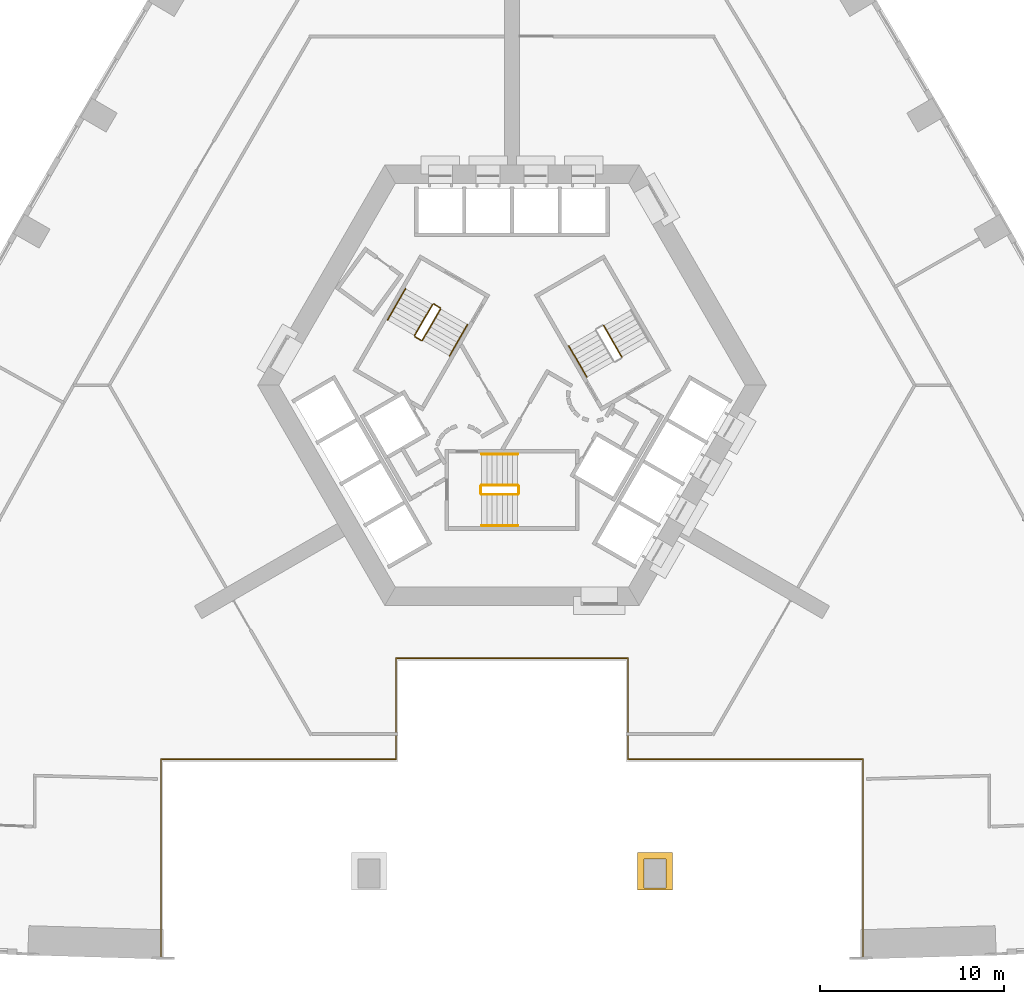
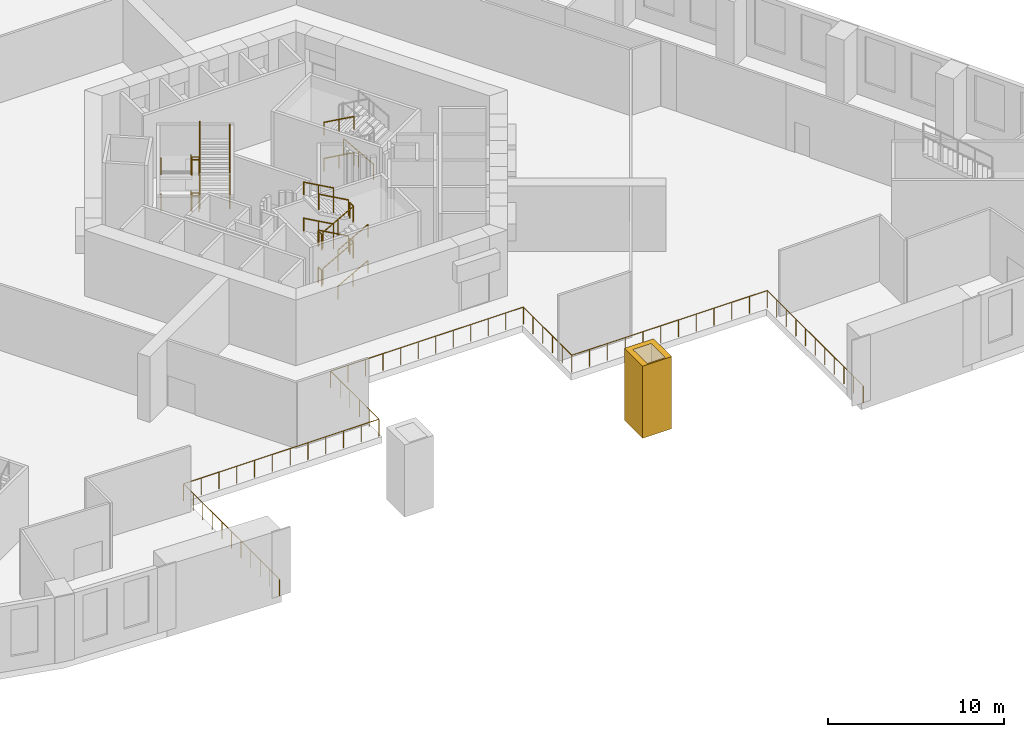
# One storey, part 13 of 16: 28 railings, 1 covering.
"""IFC4 building model written with IfcOpenShell, lengths in metres."""

import ifcopenshell
import ifcopenshell.guid

model = None  # the IFC model being written
_history = None  # IfcOwnerHistory: only IFC2X3 demands one
_inside = {}  # id of a spatial element -> (the spatial element, [elements in it])
_under = {}  # id of a project, library or spatial element -> (it, [spatial elements below it])
_declared = {}  # id of a project -> (the project, [libraries it declares])
_typed = {}  # id of a type object -> (the type object, [elements of that type])
_made_of = {}  # id of a material, layer set ... -> (it, [elements and type objects made of it])


def new_model(schema):
    """Start an empty IFC model of exactly this schema.

    Asked for "IFC4X3", IfcOpenShell would pick the latest addendum, in which some entities
    have other attributes; the version numbers below select the first issue.
    IFC2X3 requires an IfcOwnerHistory on every rooted entity: one is made here for all.
    """
    global model, _history
    if schema == "IFC4X3":
        model = ifcopenshell.file(schema_version=(4, 3, 0, 0))
    else:
        model = ifcopenshell.file(schema=schema)
    _inside.clear()
    _under.clear()
    _declared.clear()
    _typed.clear()
    _made_of.clear()
    _history = None
    if model.schema == "IFC2X3":
        org = make("IfcOrganization", Name="unknown")
        user = make(
            "IfcPersonAndOrganization",
            ThePerson=make("IfcPerson", FamilyName="unknown"),
            TheOrganization=org,
        )
        app = make(
            "IfcApplication",
            ApplicationDeveloper=org,
            Version="unknown",
            ApplicationFullName="unknown",
            ApplicationIdentifier="unknown",
        )
        _history = make(
            "IfcOwnerHistory",
            OwningUser=user,
            OwningApplication=app,
            ChangeAction="ADDED",
            CreationDate=0,
        )
    return model


def make(cls, **values):
    """One entity of the class cls with the attributes given. An attribute that is None is left unset."""
    return model.create_entity(
        cls, **{name: value for name, value in values.items() if value is not None}
    )


def rooted(cls, **values):
    """An entity with a GlobalId (a new one), such as an element, a storey or a relation."""
    return make(cls, GlobalId=ifcopenshell.guid.new(), OwnerHistory=_history, **values)


def si_unit(unit_type, name, prefix=None):
    """IfcSIUnit, for example si_unit("LENGTHUNIT", "METRE", prefix="MILLI")."""
    return make("IfcSIUnit", UnitType=unit_type, Prefix=prefix, Name=name)


def assignment(units):
    """IfcUnitAssignment: the units of a project."""
    return None if units is None else make("IfcUnitAssignment", Units=units)


def point(xyz):
    """IfcCartesianPoint."""
    return None if xyz is None else make("IfcCartesianPoint", Coordinates=xyz)


def direction(xyz):
    """IfcDirection."""
    return None if xyz is None else make("IfcDirection", DirectionRatios=xyz)


def frame(location, z_axis=None, x_axis=None):
    """IfcAxis2Placement3D, a coordinate frame: its origin and axes. An axis left out is left unset."""
    return make(
        "IfcAxis2Placement3D",
        Location=point(location),
        Axis=direction(z_axis),
        RefDirection=direction(x_axis),
    )


def frame_2d(location, x_axis=None):
    """IfcAxis2Placement2D, a coordinate frame in the plane: its origin and x axis."""
    return make(
        "IfcAxis2Placement2D", Location=point(location), RefDirection=direction(x_axis)
    )


def origin():
    """The frame at (0, 0, 0) with its axes left unset."""
    return frame((0.0, 0.0, 0.0))


def origin_2d():
    """The frame at (0, 0) in the plane with its x axis left unset."""
    return frame_2d((0.0, 0.0))


def place(relative_to, where):
    """IfcLocalPlacement: puts the frame where relative to a parent placement (None: the world)."""
    return make(
        "IfcLocalPlacement", PlacementRelTo=relative_to, RelativePlacement=where
    )


def context(
    kind, dimensions, precision=None, world=None, true_north=None, identifier=None
):
    """IfcGeometricRepresentationContext, for example the 3D "Model" context."""
    return make(
        "IfcGeometricRepresentationContext",
        ContextIdentifier=identifier,
        ContextType=kind,
        CoordinateSpaceDimension=dimensions,
        Precision=precision,
        WorldCoordinateSystem=world,
        TrueNorth=true_north,
    )


def subcontext(parent, identifier, kind, view, scale=None):
    """IfcGeometricRepresentationSubContext, for example "Body" below "Model"."""
    return make(
        "IfcGeometricRepresentationSubContext",
        ContextIdentifier=identifier,
        ContextType=kind,
        ParentContext=parent,
        TargetScale=scale,
        TargetView=view,
    )


def project(units=None, contexts=None):
    """IfcProject with its units and contexts."""
    return rooted(
        "IfcProject",
        Name="project",
        RepresentationContexts=contexts,
        UnitsInContext=assignment(units),
    )


def spatial(cls, under=None, at=None, **own):
    """A site, building, storey or space (cls), placed at a placement, below another one or the project."""
    s = rooted(cls, ObjectPlacement=at, **own)
    if under is not None:
        _under.setdefault(under.id(), (under, []))[1].append(s)
    return s


def polyline(points):
    """IfcPolyline through the points."""
    return make("IfcPolyline", Points=[point(p) for p in points])


def profile(cls, at=None, kind="AREA", **sizes):
    """A parametric profile (cls). Its sizes go by their IFC names, for example OverallWidth=200.0."""
    return make(cls, ProfileType=kind, Position=at, **sizes)


def circle(**sizes):
    """IfcCircleProfileDef."""
    return profile("IfcCircleProfileDef", **sizes)


def outline(outer, holes=None, kind="AREA"):
    """IfcArbitraryClosedProfileDef: a profile drawn as a closed curve; with holes, ...WithVoids."""
    if holes is None:
        return make("IfcArbitraryClosedProfileDef", ProfileType=kind, OuterCurve=outer)
    return make(
        "IfcArbitraryProfileDefWithVoids",
        ProfileType=kind,
        OuterCurve=outer,
        InnerCurves=holes,
    )


def extrude(swept, where, along, depth):
    """IfcExtrudedAreaSolid: the profile swept, set in the frame where, extruded along a direction by depth."""
    return make(
        "IfcExtrudedAreaSolid",
        SweptArea=swept,
        Position=where,
        ExtrudedDirection=direction(along),
        Depth=depth,
    )


def shape(context_of_items, identifier, shape_type, items):
    """IfcShapeRepresentation: the items that make up one representation, for example the "Body"."""
    return make(
        "IfcShapeRepresentation",
        ContextOfItems=context_of_items,
        RepresentationIdentifier=identifier,
        RepresentationType=shape_type,
        Items=items,
    )


def material(Name=None, Category=None):
    """IfcMaterial."""
    return make("IfcMaterial", Name=Name, Category=Category)


def made_of(thing, what):
    """Note that an element or type object is made of a material, layer set ...; save() writes the relation."""
    if what is not None:
        _made_of.setdefault(what.id(), (what, []))[1].append(thing)
    return thing


def type_object(cls, material=None, **own):
    """A type object (cls), such as IfcWallType, which elements share."""
    return made_of(rooted(cls, **own), material)


def element(
    cls,
    number,
    at=None,
    inside=None,
    cuts=None,
    type_object=None,
    material=None,
    context=None,
    identifier="Body",
    shape_type=None,
    held_by="IfcProductDefinitionShape",
    body=None,
    shapes=None,
    **own,
):
    """One element of the class cls, such as IfcWall. Its Tag is "e" and its number.

    at: its placement. inside: the storey or other place that contains it. cuts: it is an
    opening in that element (IfcRelVoidsElement). A single representation is given by context,
    identifier, shape_type and body (its items); several are given by shapes. held_by: the class
    of the entity that holds the representations. save() writes the other relations.
    """
    e = rooted(cls, Tag="e%d" % number, ObjectPlacement=at, **own)
    if body is not None:
        shapes = [shape(context, identifier, shape_type, body)]
    if shapes is not None:
        e.Representation = make(held_by, Representations=shapes)
    if inside is not None:
        _inside.setdefault(inside.id(), (inside, []))[1].append(e)
    if cuts is not None:
        rooted(
            "IfcRelVoidsElement", RelatingBuildingElement=cuts, RelatedOpeningElement=e
        )
    if type_object is not None:
        _typed.setdefault(type_object.id(), (type_object, []))[1].append(e)
    return made_of(e, material)


def aggregate(whole, parts):
    """IfcRelAggregates: a whole, such as a stair, and the parts it consists of."""
    return rooted("IfcRelAggregates", RelatingObject=whole, RelatedObjects=parts)


def save(model, path):
    """Write the relations noted so far, then the file.

    IfcRelAggregates (storeys below a building ...), IfcRelContainedInSpatialStructure (elements
    in a storey), IfcRelDefinesByType, IfcRelAssociatesMaterial and IfcRelDeclares: one each for
    every whole, place, type object, material and project.
    """
    for whole, parts in _under.values():
        aggregate(whole, parts)
    for where, things in _inside.values():
        rooted(
            "IfcRelContainedInSpatialStructure",
            RelatedElements=things,
            RelatingStructure=where,
        )
    for kind, things in _typed.values():
        rooted("IfcRelDefinesByType", RelatedObjects=things, RelatingType=kind)
    for what, things in _made_of.values():
        rooted("IfcRelAssociatesMaterial", RelatedObjects=things, RelatingMaterial=what)
    for by, libraries in _declared.values():
        rooted("IfcRelDeclares", RelatingContext=by, RelatedDefinitions=libraries)
    model.write(path)


model = new_model("IFC4")

# Units and contexts
model_context = context("Model", 3, precision=1e-05, world=origin(), true_north=direction((0.0, 1.0)))
body_context = subcontext(model_context, "Body", "Model", "MODEL_VIEW")
ifc_project = project(units=[si_unit("LENGTHUNIT", "METRE"), si_unit("AREAUNIT", "SQUARE_METRE"), si_unit("VOLUMEUNIT", "CUBIC_METRE"), si_unit("PLANEANGLEUNIT", "RADIAN"), si_unit("MASSUNIT", "GRAM", prefix="KILO")], contexts=[model_context])

# Site, building, storey
site_placement = place(None, origin())
site = spatial("IfcSite", under=ifc_project, at=site_placement, CompositionType="ELEMENT")
building_placement = place(site_placement, origin())
building = spatial("IfcBuilding", under=site, at=building_placement, Name="Entoto Arch Interchange Tower", CompositionType="ELEMENT")
storey_placement = place(building_placement, frame((0.0, 0.0, 20.0)))
storey = spatial("IfcBuildingStorey", under=building, at=storey_placement, Name="L03", CompositionType="ELEMENT", Elevation=20.0)

# Railing
ifc_material_1 = material(Name="Stainless steel 1.4301", Category="steel")
railing_type_1 = type_object("IfcRailingType", Name="ATRIUM GUARD 1200 STEEL AND GLASS", PredefinedType="GUARDRAIL", material=ifc_material_1)
railing_1_placement = place(storey_placement, frame((-19.1201171875, -28.758056640625, 0.0)))
element("IfcRailing", 1, at=railing_1_placement, inside=storey, type_object=railing_type_1, Name="Atrium guard L03", PredefinedType="GUARDRAIL", context=body_context, shape_type="SweptSolid", body=[
    extrude(circle(Radius=0.02392578125, at=origin_2d()), frame((0.0, 0.0, 1.17578125), z_axis=(0.0, 1.0, 0.0), x_axis=(-1.0, 0.0, 0.0)), (0.0, 0.0, 1.0), 10.878173828125),
    extrude(circle(Radius=0.02392578125, at=origin_2d()), frame((0.0, 10.878173828125, 1.17578125), z_axis=(1.0, 0.0, 0.0), x_axis=(0.0, 1.0, 0.0)), (0.0, 0.0, 1.0), 12.800048828125),
    extrude(circle(Radius=0.02392578125, at=origin_2d()), frame((12.800048828125, 10.878173828125, 1.17578125), z_axis=(0.0, 1.0, 0.0), x_axis=(-1.0, 0.0, 0.0)), (0.0, 0.0, 1.0), 5.5),
    extrude(circle(Radius=0.02392578125, at=origin_2d()), frame((12.800048828125, 16.378173828125, 1.17578125), z_axis=(1.0, 0.0, 0.0), x_axis=(0.0, 1.0, 0.0)), (0.0, 0.0, 1.0), 12.64013671875),
    extrude(circle(Radius=0.02392578125, at=origin_2d()), frame((25.440185546875, 16.378173828125, 1.17578125), z_axis=(0.0, -1.0, 0.0), x_axis=(1.0, 0.0, 0.0)), (0.0, 0.0, 1.0), 5.5),
    extrude(circle(Radius=0.02392578125, at=origin_2d()), frame((25.440185546875, 10.878173828125, 1.17578125), z_axis=(1.0, 0.0, 0.0), x_axis=(0.0, 1.0, 0.0)), (0.0, 0.0, 1.0), 12.800048828125),
    extrude(circle(Radius=0.02392578125, at=origin_2d()), frame((38.240234375, 10.878173828125, 1.17578125), z_axis=(0.0, -1.0, 0.0), x_axis=(1.0, 0.0, 0.0)), (0.0, 0.0, 1.0), 10.878173828125),
    extrude(circle(Radius=0.02099609375, at=origin_2d()), origin(), (0.0, 0.0, 1.0), 1.15185546875),
    extrude(circle(Radius=0.02099609375, at=origin_2d()), frame((0.0, 1.087890625, 0.0)), (0.0, 0.0, 1.0), 1.15185546875),
    extrude(circle(Radius=0.02099609375, at=origin_2d()), frame((0.0, 2.175537109375, 0.0)), (0.0, 0.0, 1.0), 1.15185546875),
    extrude(circle(Radius=0.02099609375, at=origin_2d()), frame((0.0, 3.263427734375, 0.0)), (0.0, 0.0, 1.0), 1.15185546875),
    extrude(circle(Radius=0.02099609375, at=origin_2d()), frame((0.0, 4.351318359375, 0.0)), (0.0, 0.0, 1.0), 1.15185546875),
    extrude(circle(Radius=0.02099609375, at=origin_2d()), frame((0.0, 5.43896484375, 0.0)), (0.0, 0.0, 1.0), 1.15185546875),
    extrude(circle(Radius=0.02099609375, at=origin_2d()), frame((0.0, 6.52685546875, 0.0)), (0.0, 0.0, 1.0), 1.15185546875),
    extrude(circle(Radius=0.02099609375, at=origin_2d()), frame((0.0, 7.61474609375, 0.0)), (0.0, 0.0, 1.0), 1.15185546875),
    extrude(circle(Radius=0.02099609375, at=origin_2d()), frame((0.0, 8.70263671875, 0.0)), (0.0, 0.0, 1.0), 1.15185546875),
    extrude(circle(Radius=0.02099609375, at=origin_2d()), frame((0.0, 9.790283203125, 0.0)), (0.0, 0.0, 1.0), 1.15185546875),
    extrude(circle(Radius=0.02099609375, at=origin_2d()), frame((0.0, 10.878173828125, 0.0)), (0.0, 0.0, 1.0), 1.15185546875),
    extrude(circle(Radius=0.02099609375, at=origin_2d()), frame((1.16357421875, 10.878173828125, 0.0)), (0.0, 0.0, 1.0), 1.15185546875),
    extrude(circle(Radius=0.02099609375, at=origin_2d()), frame((2.327392578125, 10.878173828125, 0.0)), (0.0, 0.0, 1.0), 1.15185546875),
    extrude(circle(Radius=0.02099609375, at=origin_2d()), frame((3.490966796875, 10.878173828125, 0.0)), (0.0, 0.0, 1.0), 1.15185546875),
    extrude(circle(Radius=0.02099609375, at=origin_2d()), frame((4.654541015625, 10.878173828125, 0.0)), (0.0, 0.0, 1.0), 1.15185546875),
    extrude(circle(Radius=0.02099609375, at=origin_2d()), frame((5.818115234375, 10.878173828125, 0.0)), (0.0, 0.0, 1.0), 1.15185546875),
    extrude(circle(Radius=0.02099609375, at=origin_2d()), frame((6.98193359375, 10.878173828125, 0.0)), (0.0, 0.0, 1.0), 1.15185546875),
    extrude(circle(Radius=0.02099609375, at=origin_2d()), frame((8.1455078125, 10.878173828125, 0.0)), (0.0, 0.0, 1.0), 1.15185546875),
    extrude(circle(Radius=0.02099609375, at=origin_2d()), frame((9.30908203125, 10.878173828125, 0.0)), (0.0, 0.0, 1.0), 1.15185546875),
    extrude(circle(Radius=0.02099609375, at=origin_2d()), frame((10.47265625, 10.878173828125, 0.0)), (0.0, 0.0, 1.0), 1.15185546875),
    extrude(circle(Radius=0.02099609375, at=origin_2d()), frame((11.636474609375, 10.878173828125, 0.0)), (0.0, 0.0, 1.0), 1.15185546875),
    extrude(circle(Radius=0.02099609375, at=origin_2d()), frame((12.800048828125, 10.878173828125, 0.0)), (0.0, 0.0, 1.0), 1.15185546875),
    extrude(circle(Radius=0.02099609375, at=origin_2d()), frame((12.800048828125, 11.978271484375, 0.0)), (0.0, 0.0, 1.0), 1.15185546875),
    extrude(circle(Radius=0.02099609375, at=origin_2d()), frame((12.800048828125, 13.078125, 0.0)), (0.0, 0.0, 1.0), 1.15185546875),
    extrude(circle(Radius=0.02099609375, at=origin_2d()), frame((12.800048828125, 14.17822265625, 0.0)), (0.0, 0.0, 1.0), 1.15185546875),
    extrude(circle(Radius=0.02099609375, at=origin_2d()), frame((12.800048828125, 15.278076171875, 0.0)), (0.0, 0.0, 1.0), 1.15185546875),
    extrude(circle(Radius=0.02099609375, at=origin_2d()), frame((12.800048828125, 16.378173828125, 0.0)), (0.0, 0.0, 1.0), 1.15185546875),
    extrude(circle(Radius=0.02099609375, at=origin_2d()), frame((13.94921875, 16.378173828125, 0.0)), (0.0, 0.0, 1.0), 1.15185546875),
    extrude(circle(Radius=0.02099609375, at=origin_2d()), frame((15.09814453125, 16.378173828125, 0.0)), (0.0, 0.0, 1.0), 1.15185546875),
    extrude(circle(Radius=0.02099609375, at=origin_2d()), frame((16.247314453125, 16.378173828125, 0.0)), (0.0, 0.0, 1.0), 1.15185546875),
    extrude(circle(Radius=0.02099609375, at=origin_2d()), frame((17.396484375, 16.378173828125, 0.0)), (0.0, 0.0, 1.0), 1.15185546875),
    extrude(circle(Radius=0.02099609375, at=origin_2d()), frame((18.545654296875, 16.378173828125, 0.0)), (0.0, 0.0, 1.0), 1.15185546875),
    extrude(circle(Radius=0.02099609375, at=origin_2d()), frame((19.694580078125, 16.378173828125, 0.0)), (0.0, 0.0, 1.0), 1.15185546875),
    extrude(circle(Radius=0.02099609375, at=origin_2d()), frame((20.84375, 16.378173828125, 0.0)), (0.0, 0.0, 1.0), 1.15185546875),
    extrude(circle(Radius=0.02099609375, at=origin_2d()), frame((21.992919921875, 16.378173828125, 0.0)), (0.0, 0.0, 1.0), 1.15185546875),
    extrude(circle(Radius=0.02099609375, at=origin_2d()), frame((23.14208984375, 16.378173828125, 0.0)), (0.0, 0.0, 1.0), 1.15185546875),
    extrude(circle(Radius=0.02099609375, at=origin_2d()), frame((24.291015625, 16.378173828125, 0.0)), (0.0, 0.0, 1.0), 1.15185546875),
    extrude(circle(Radius=0.02099609375, at=origin_2d()), frame((25.440185546875, 16.378173828125, 0.0)), (0.0, 0.0, 1.0), 1.15185546875),
    extrude(circle(Radius=0.02099609375, at=origin_2d()), frame((25.440185546875, 15.278076171875, 0.0)), (0.0, 0.0, 1.0), 1.15185546875),
    extrude(circle(Radius=0.02099609375, at=origin_2d()), frame((25.440185546875, 14.17822265625, 0.0)), (0.0, 0.0, 1.0), 1.15185546875),
    extrude(circle(Radius=0.02099609375, at=origin_2d()), frame((25.440185546875, 13.078125, 0.0)), (0.0, 0.0, 1.0), 1.15185546875),
    extrude(circle(Radius=0.02099609375, at=origin_2d()), frame((25.440185546875, 11.978271484375, 0.0)), (0.0, 0.0, 1.0), 1.15185546875),
    extrude(circle(Radius=0.02099609375, at=origin_2d()), frame((25.440185546875, 10.878173828125, 0.0)), (0.0, 0.0, 1.0), 1.15185546875),
    extrude(circle(Radius=0.02099609375, at=origin_2d()), frame((26.603759765625, 10.878173828125, 0.0)), (0.0, 0.0, 1.0), 1.15185546875),
    extrude(circle(Radius=0.02099609375, at=origin_2d()), frame((27.767578125, 10.878173828125, 0.0)), (0.0, 0.0, 1.0), 1.15185546875),
    extrude(circle(Radius=0.02099609375, at=origin_2d()), frame((28.93115234375, 10.878173828125, 0.0)), (0.0, 0.0, 1.0), 1.15185546875),
    extrude(circle(Radius=0.02099609375, at=origin_2d()), frame((30.0947265625, 10.878173828125, 0.0)), (0.0, 0.0, 1.0), 1.15185546875),
    extrude(circle(Radius=0.02099609375, at=origin_2d()), frame((31.25830078125, 10.878173828125, 0.0)), (0.0, 0.0, 1.0), 1.15185546875),
    extrude(circle(Radius=0.02099609375, at=origin_2d()), frame((32.422119140625, 10.878173828125, 0.0)), (0.0, 0.0, 1.0), 1.15185546875),
    extrude(circle(Radius=0.02099609375, at=origin_2d()), frame((33.585693359375, 10.878173828125, 0.0)), (0.0, 0.0, 1.0), 1.15185546875),
    extrude(circle(Radius=0.02099609375, at=origin_2d()), frame((34.749267578125, 10.878173828125, 0.0)), (0.0, 0.0, 1.0), 1.15185546875),
    extrude(circle(Radius=0.02099609375, at=origin_2d()), frame((35.912841796875, 10.878173828125, 0.0)), (0.0, 0.0, 1.0), 1.15185546875),
    extrude(circle(Radius=0.02099609375, at=origin_2d()), frame((37.07666015625, 10.878173828125, 0.0)), (0.0, 0.0, 1.0), 1.15185546875),
    extrude(circle(Radius=0.02099609375, at=origin_2d()), frame((38.240234375, 10.878173828125, 0.0)), (0.0, 0.0, 1.0), 1.15185546875),
    extrude(circle(Radius=0.02099609375, at=origin_2d()), frame((38.240234375, 9.790283203125, 0.0)), (0.0, 0.0, 1.0), 1.15185546875),
    extrude(circle(Radius=0.02099609375, at=origin_2d()), frame((38.240234375, 8.70263671875, 0.0)), (0.0, 0.0, 1.0), 1.15185546875),
    extrude(circle(Radius=0.02099609375, at=origin_2d()), frame((38.240234375, 7.61474609375, 0.0)), (0.0, 0.0, 1.0), 1.15185546875),
    extrude(circle(Radius=0.02099609375, at=origin_2d()), frame((38.240234375, 6.52685546875, 0.0)), (0.0, 0.0, 1.0), 1.15185546875),
    extrude(circle(Radius=0.02099609375, at=origin_2d()), frame((38.240234375, 5.43896484375, 0.0)), (0.0, 0.0, 1.0), 1.15185546875),
    extrude(circle(Radius=0.02099609375, at=origin_2d()), frame((38.240234375, 4.351318359375, 0.0)), (0.0, 0.0, 1.0), 1.15185546875),
    extrude(circle(Radius=0.02099609375, at=origin_2d()), frame((38.240234375, 3.263427734375, 0.0)), (0.0, 0.0, 1.0), 1.15185546875),
    extrude(circle(Radius=0.02099609375, at=origin_2d()), frame((38.240234375, 2.175537109375, 0.0)), (0.0, 0.0, 1.0), 1.15185546875),
    extrude(circle(Radius=0.02099609375, at=origin_2d()), frame((38.240234375, 1.087890625, 0.0)), (0.0, 0.0, 1.0), 1.15185546875),
    extrude(circle(Radius=0.02099609375, at=origin_2d()), frame((38.240234375, 0.0, 0.0)), (0.0, 0.0, 1.0), 1.15185546875),
])

# Covering
ifc_material_2 = material(Name="Board-marked precast concrete C50/60", Category="concrete")
covering_type = type_object("IfcCoveringType", Name="PRECAST FRAME COURSE", PredefinedType="CLADDING", material=ifc_material_2)
covering_placement = place(storey_placement, frame((0.0, 0.0, -0.449951171875)))
element("IfcCovering", 2, at=covering_placement, inside=storey, type_object=covering_type, Name="Gate pier L03", PredefinedType="CLADDING", context=body_context, shape_type="SweptSolid", body=[
    extrude(outline(polyline([(6.85009765625, -22.949951171875), (8.75, -22.949951171875), (8.75, -24.9990234375), (6.85009765625, -24.9990234375), (6.85009765625, -22.949951171875)]), holes=[polyline([(7.199951171875, -23.300048828125), (7.199951171875, -24.89990234375), (8.39990234375, -24.89990234375), (8.39990234375, -23.300048828125), (7.199951171875, -23.300048828125)])]), origin(), (0.0, 0.0, 1.0), 5.0),
])

# Railings
railing_type_2 = type_object("IfcRailingType", Name="STAIR GUARD 1100 STEEL", PredefinedType="GUARDRAIL", material=ifc_material_1)
railing_2_placement = place(storey_placement, frame((-1.64990234375, -3.449951171875, 0.15625)))
element("IfcRailing", 3, at=railing_2_placement, inside=storey, type_object=railing_type_2, Name="L03 ST-S stair guard 1", PredefinedType="GUARDRAIL", context=body_context, shape_type="SweptSolid", body=[
    extrude(circle(Radius=0.02392578125, at=origin_2d()), frame((0.0, 0.0, 1.076171875), z_axis=(0.873232148454, 0.0, 0.487304437602), x_axis=(0.0, 1.0, 0.0)), (0.0, 0.0, 1.0), 2.244384765625),
    extrude(circle(Radius=0.02099609375, at=origin_2d()), origin(), (0.0, 0.0, 1.0), 1.052001953125),
    extrude(circle(Radius=0.02099609375, at=origin_2d()), frame((0.97998046875, 0.0, 0.546875)), (0.0, 0.0, 1.0), 1.052001953125),
    extrude(circle(Radius=0.02099609375, at=origin_2d()), frame((1.9599609375, 0.0, 1.09375)), (0.0, 0.0, 1.0), 1.052001953125),
])
railing_3_placement = place(storey_placement, frame((0.360107421875, -3.39990234375, 1.25)))
element("IfcRailing", 4, at=railing_3_placement, inside=storey, type_object=railing_type_2, Name="L03 ST-S stair guard 2", PredefinedType="GUARDRAIL", context=body_context, shape_type="SweptSolid", body=[
    extrude(circle(Radius=0.02392578125, at=origin_2d()), frame((0.0, 0.0, 1.076171875), z_axis=(0.0, 1.0, 0.0), x_axis=(-1.0, 0.0, 0.0)), (0.0, 0.0, 1.0), 0.39990234375),
    extrude(circle(Radius=0.02099609375, at=origin_2d()), origin(), (0.0, 0.0, 1.0), 1.052001953125),
    extrude(circle(Radius=0.02099609375, at=origin_2d()), frame((0.0, 0.39990234375, 0.0)), (0.0, 0.0, 1.0), 1.052001953125),
])
railing_4_placement = place(storey_placement, frame((0.31005859375, -2.949951171875, 1.40625)))
element("IfcRailing", 5, at=railing_4_placement, inside=storey, type_object=railing_type_2, Name="L03 ST-S stair guard 3", PredefinedType="GUARDRAIL", context=body_context, shape_type="SweptSolid", body=[
    extrude(circle(Radius=0.02392578125, at=origin_2d()), frame((0.0, 0.0, 1.076171875), z_axis=(-0.873232148454, 0.0, 0.487304437602), x_axis=(0.0, -1.0, 0.0)), (0.0, 0.0, 1.0), 2.244384765625),
    extrude(circle(Radius=0.02099609375, at=origin_2d()), origin(), (0.0, 0.0, 1.0), 1.052001953125),
    extrude(circle(Radius=0.02099609375, at=origin_2d()), frame((-0.97998046875, 0.0, 0.546875)), (0.0, 0.0, 1.0), 1.052001953125),
    extrude(circle(Radius=0.02099609375, at=origin_2d()), frame((-1.9599609375, 0.0, 1.09375)), (0.0, 0.0, 1.0), 1.052001953125),
])
railing_5_placement = place(storey_placement, frame((-1.699951171875, -3.39990234375, 2.5)))
element("IfcRailing", 6, at=railing_5_placement, inside=storey, type_object=railing_type_2, Name="L03 ST-S stair guard 4", PredefinedType="GUARDRAIL", context=body_context, shape_type="SweptSolid", body=[
    extrude(circle(Radius=0.02392578125, at=origin_2d()), frame((0.0, 0.0, 1.076171875), z_axis=(0.0, 1.0, 0.0), x_axis=(-1.0, 0.0, 0.0)), (0.0, 0.0, 1.0), 0.39990234375),
    extrude(circle(Radius=0.02099609375, at=origin_2d()), origin(), (0.0, 0.0, 1.0), 1.052001953125),
    extrude(circle(Radius=0.02099609375, at=origin_2d()), frame((0.0, 0.39990234375, 0.0)), (0.0, 0.0, 1.0), 1.052001953125),
])
railing_6_placement = place(storey_placement, frame((-1.64990234375, -3.449951171875, 2.65625)))
element("IfcRailing", 7, at=railing_6_placement, inside=storey, type_object=railing_type_2, Name="L03 ST-S stair guard 5", PredefinedType="GUARDRAIL", context=body_context, shape_type="SweptSolid", body=[
    extrude(circle(Radius=0.02392578125, at=origin_2d()), frame((0.0, 0.0, 1.076171875), z_axis=(0.873232148454, 0.0, 0.487304437602), x_axis=(0.0, 1.0, 0.0)), (0.0, 0.0, 1.0), 2.244384765625),
    extrude(circle(Radius=0.02099609375, at=origin_2d()), origin(), (0.0, 0.0, 1.0), 1.052001953125),
    extrude(circle(Radius=0.02099609375, at=origin_2d()), frame((0.97998046875, 0.0, 0.546875)), (0.0, 0.0, 1.0), 1.052001953125),
    extrude(circle(Radius=0.02099609375, at=origin_2d()), frame((1.9599609375, 0.0, 1.09375)), (0.0, 0.0, 1.0), 1.052001953125),
])
railing_7_placement = place(storey_placement, frame((0.360107421875, -3.39990234375, 3.75)))
element("IfcRailing", 8, at=railing_7_placement, inside=storey, type_object=railing_type_2, Name="L03 ST-S stair guard 6", PredefinedType="GUARDRAIL", context=body_context, shape_type="SweptSolid", body=[
    extrude(circle(Radius=0.02392578125, at=origin_2d()), frame((0.0, 0.0, 1.076171875), z_axis=(0.0, 1.0, 0.0), x_axis=(-1.0, 0.0, 0.0)), (0.0, 0.0, 1.0), 0.39990234375),
    extrude(circle(Radius=0.02099609375, at=origin_2d()), origin(), (0.0, 0.0, 1.0), 1.052001953125),
    extrude(circle(Radius=0.02099609375, at=origin_2d()), frame((0.0, 0.39990234375, 0.0)), (0.0, 0.0, 1.0), 1.052001953125),
])
railing_8_placement = place(storey_placement, frame((0.31005859375, -2.949951171875, 3.90625)))
element("IfcRailing", 9, at=railing_8_placement, inside=storey, type_object=railing_type_2, Name="L03 ST-S stair guard 7", PredefinedType="GUARDRAIL", context=body_context, shape_type="SweptSolid", body=[
    extrude(circle(Radius=0.02392578125, at=origin_2d()), frame((0.0, 0.0, 1.076171875), z_axis=(-0.873232148454, 0.0, 0.487304437602), x_axis=(0.0, -1.0, 0.0)), (0.0, 0.0, 1.0), 2.244384765625),
    extrude(circle(Radius=0.02099609375, at=origin_2d()), origin(), (0.0, 0.0, 1.0), 1.052001953125),
    extrude(circle(Radius=0.02099609375, at=origin_2d()), frame((-0.97998046875, 0.0, 0.546875)), (0.0, 0.0, 1.0), 1.052001953125),
    extrude(circle(Radius=0.02099609375, at=origin_2d()), frame((-1.9599609375, 0.0, 1.09375)), (0.0, 0.0, 1.0), 1.052001953125),
])
railing_9_placement = place(storey_placement, frame((-1.699951171875, -3.39990234375, 0.0)))
element("IfcRailing", 10, at=railing_9_placement, inside=storey, type_object=railing_type_2, Name="L03 ST-S stair guard 8", PredefinedType="GUARDRAIL", context=body_context, shape_type="SweptSolid", body=[
    extrude(circle(Radius=0.02392578125, at=origin_2d()), frame((0.0, 0.0, 1.076171875), z_axis=(0.0, 1.0, 0.0), x_axis=(-1.0, 0.0, 0.0)), (0.0, 0.0, 1.0), 0.39990234375),
    extrude(circle(Radius=0.02099609375, at=origin_2d()), origin(), (0.0, 0.0, 1.0), 1.052001953125),
    extrude(circle(Radius=0.02099609375, at=origin_2d()), frame((0.0, 0.39990234375, 0.0)), (0.0, 0.0, 1.0), 1.052001953125),
])
railing_10_placement = place(storey_placement, frame((5.977783203125, 4.046142578125, 0.15625)))
element("IfcRailing", 11, at=railing_10_placement, inside=storey, type_object=railing_type_2, Name="L03 ST-NE stair guard 1", PredefinedType="GUARDRAIL", context=body_context, shape_type="SweptSolid", body=[
    extrude(circle(Radius=0.02392578125, at=origin_2d()), frame((0.0, 0.0, 1.076171875), z_axis=(-0.436632306331, 0.756220177781, 0.487322554151), x_axis=(-0.866011328839, -0.500024377727, 0.0)), (0.0, 0.0, 1.0), 2.244384765625),
    extrude(circle(Radius=0.02099609375, at=origin_2d()), origin(), (0.0, 0.0, 1.0), 1.052001953125),
    extrude(circle(Radius=0.02099609375, at=origin_2d()), frame((-0.489990234375, 0.8486328125, 0.546875)), (0.0, 0.0, 1.0), 1.052001953125),
    extrude(circle(Radius=0.02099609375, at=origin_2d()), frame((-0.97998046875, 1.697265625, 1.09375)), (0.0, 0.0, 1.0), 1.052001953125),
])
railing_11_placement = place(storey_placement, frame((-4.327880859375, 6.904052734375, 0.15625)))
element("IfcRailing", 12, at=railing_11_placement, inside=storey, type_object=railing_type_2, Name="L03 ST-NW stair guard 1", PredefinedType="GUARDRAIL", context=body_context, shape_type="SweptSolid", body=[
    extrude(circle(Radius=0.02392578125, at=origin_2d()), frame((0.0, 0.0, 1.076171875), z_axis=(-0.436596390967, -0.756266742998, 0.487282469241), x_axis=(0.866042469362, -0.499970440388, 0.0)), (0.0, 0.0, 1.0), 2.24462890625),
    extrude(circle(Radius=0.02099609375, at=origin_2d()), origin(), (0.0, 0.0, 1.0), 1.052001953125),
    extrude(circle(Radius=0.02099609375, at=origin_2d()), frame((-0.489990234375, -0.8486328125, 0.546875)), (0.0, 0.0, 1.0), 1.052001953125),
    extrude(circle(Radius=0.02099609375, at=origin_2d()), frame((-0.97998046875, -1.697509765625, 1.09375)), (0.0, 0.0, 1.0), 1.052001953125),
])
railing_12_placement = place(storey_placement, frame((-5.28955078125, 5.13818359375, 1.25)))
element("IfcRailing", 13, at=railing_12_placement, inside=storey, type_object=railing_type_2, Name="L03 ST-NW stair guard 2", PredefinedType="GUARDRAIL", context=body_context, shape_type="SweptSolid", body=[
    extrude(circle(Radius=0.02392578125, at=origin_2d()), frame((0.0, 0.0, 1.076171875), z_axis=(0.866094119867, -0.499880961361, 0.0), x_axis=(0.499880961361, 0.866094119867, 0.0)), (0.0, 0.0, 1.0), 0.39990234375),
    extrude(circle(Radius=0.02099609375, at=origin_2d()), origin(), (0.0, 0.0, 1.0), 1.052001953125),
    extrude(circle(Radius=0.02099609375, at=origin_2d()), frame((0.346435546875, -0.199951171875, 0.0)), (0.0, 0.0, 1.0), 1.052001953125),
])
railing_13_placement = place(storey_placement, frame((-4.874755859375, 4.95654296875, 1.40625)))
element("IfcRailing", 14, at=railing_13_placement, inside=storey, type_object=railing_type_2, Name="L03 ST-NW stair guard 3", PredefinedType="GUARDRAIL", context=body_context, shape_type="SweptSolid", body=[
    extrude(circle(Radius=0.02392578125, at=origin_2d()), frame((0.0, 0.0, 1.076171875), z_axis=(0.436596390967, 0.756266742998, 0.487282469241), x_axis=(-0.866042469362, 0.499970440388, 0.0)), (0.0, 0.0, 1.0), 2.24462890625),
    extrude(circle(Radius=0.02099609375, at=origin_2d()), origin(), (0.0, 0.0, 1.0), 1.052001953125),
    extrude(circle(Radius=0.02099609375, at=origin_2d()), frame((0.489990234375, 0.8486328125, 0.546875)), (0.0, 0.0, 1.0), 1.052001953125),
    extrude(circle(Radius=0.02099609375, at=origin_2d()), frame((0.97998046875, 1.697509765625, 1.09375)), (0.0, 0.0, 1.0), 1.052001953125),
])
railing_14_placement = place(storey_placement, frame((-4.259521484375, 6.92236328125, 2.5)))
element("IfcRailing", 15, at=railing_14_placement, inside=storey, type_object=railing_type_2, Name="L03 ST-NW stair guard 4", PredefinedType="GUARDRAIL", context=body_context, shape_type="SweptSolid", body=[
    extrude(circle(Radius=0.02392578125, at=origin_2d()), frame((0.0, 0.0, 1.076171875), z_axis=(0.865829829939, -0.500338590944, 0.0), x_axis=(0.500338590944, 0.865829829939, 0.0)), (0.0, 0.0, 1.0), 0.400146484375),
    extrude(circle(Radius=0.02099609375, at=origin_2d()), origin(), (0.0, 0.0, 1.0), 1.052001953125),
    extrude(circle(Radius=0.02099609375, at=origin_2d()), frame((0.346435546875, -0.2001953125, 0.0)), (0.0, 0.0, 1.0), 1.052001953125),
])
railing_15_placement = place(storey_placement, frame((-4.327880859375, 6.904052734375, 2.65625)))
element("IfcRailing", 16, at=railing_15_placement, inside=storey, type_object=railing_type_2, Name="L03 ST-NW stair guard 5", PredefinedType="GUARDRAIL", context=body_context, shape_type="SweptSolid", body=[
    extrude(circle(Radius=0.02392578125, at=origin_2d()), frame((0.0, 0.0, 1.076171875), z_axis=(-0.436596390967, -0.756266742998, 0.487282469241), x_axis=(0.866042469362, -0.499970440388, 0.0)), (0.0, 0.0, 1.0), 2.24462890625),
    extrude(circle(Radius=0.02099609375, at=origin_2d()), origin(), (0.0, 0.0, 1.0), 1.052001953125),
    extrude(circle(Radius=0.02099609375, at=origin_2d()), frame((-0.489990234375, -0.8486328125, 0.546875)), (0.0, 0.0, 1.0), 1.052001953125),
    extrude(circle(Radius=0.02099609375, at=origin_2d()), frame((-0.97998046875, -1.697509765625, 1.09375)), (0.0, 0.0, 1.0), 1.052001953125),
])
railing_16_placement = place(storey_placement, frame((-5.28955078125, 5.13818359375, 3.75)))
element("IfcRailing", 17, at=railing_16_placement, inside=storey, type_object=railing_type_2, Name="L03 ST-NW stair guard 6", PredefinedType="GUARDRAIL", context=body_context, shape_type="SweptSolid", body=[
    extrude(circle(Radius=0.02392578125, at=origin_2d()), frame((0.0, 0.0, 1.076171875), z_axis=(0.866094119867, -0.499880961361, 0.0), x_axis=(0.499880961361, 0.866094119867, 0.0)), (0.0, 0.0, 1.0), 0.39990234375),
    extrude(circle(Radius=0.02099609375, at=origin_2d()), origin(), (0.0, 0.0, 1.0), 1.052001953125),
    extrude(circle(Radius=0.02099609375, at=origin_2d()), frame((0.346435546875, -0.199951171875, 0.0)), (0.0, 0.0, 1.0), 1.052001953125),
])
railing_17_placement = place(storey_placement, frame((-4.874755859375, 4.95654296875, 3.90625)))
element("IfcRailing", 18, at=railing_17_placement, inside=storey, type_object=railing_type_2, Name="L03 ST-NW stair guard 7", PredefinedType="GUARDRAIL", context=body_context, shape_type="SweptSolid", body=[
    extrude(circle(Radius=0.02392578125, at=origin_2d()), frame((0.0, 0.0, 1.076171875), z_axis=(0.436596390967, 0.756266742998, 0.487282469241), x_axis=(-0.866042469362, 0.499970440388, 0.0)), (0.0, 0.0, 1.0), 2.24462890625),
    extrude(circle(Radius=0.02099609375, at=origin_2d()), origin(), (0.0, 0.0, 1.0), 1.052001953125),
    extrude(circle(Radius=0.02099609375, at=origin_2d()), frame((0.489990234375, 0.8486328125, 0.546875)), (0.0, 0.0, 1.0), 1.052001953125),
    extrude(circle(Radius=0.02099609375, at=origin_2d()), frame((0.97998046875, 1.697509765625, 1.09375)), (0.0, 0.0, 1.0), 1.052001953125),
])
railing_18_placement = place(storey_placement, frame((-4.259521484375, 6.92236328125, 0.0)))
element("IfcRailing", 19, at=railing_18_placement, inside=storey, type_object=railing_type_2, Name="L03 ST-NW stair guard 8", PredefinedType="GUARDRAIL", context=body_context, shape_type="SweptSolid", body=[
    extrude(circle(Radius=0.02392578125, at=origin_2d()), frame((0.0, 0.0, 1.076171875), z_axis=(0.865829829939, -0.500338590944, 0.0), x_axis=(0.500338590944, 0.865829829939, 0.0)), (0.0, 0.0, 1.0), 0.400146484375),
    extrude(circle(Radius=0.02099609375, at=origin_2d()), origin(), (0.0, 0.0, 1.0), 1.052001953125),
    extrude(circle(Radius=0.02099609375, at=origin_2d()), frame((0.346435546875, -0.2001953125, 0.0)), (0.0, 0.0, 1.0), 1.052001953125),
])
railing_type_3 = type_object("IfcRailingType", Name="STAIR HANDRAIL 900 STEEL", PredefinedType="HANDRAIL", material=ifc_material_1)
railing_19_placement = place(storey_placement, frame((-1.64990234375, -5.14990234375, 0.15625)))
element("IfcRailing", 20, at=railing_19_placement, inside=storey, type_object=railing_type_3, Name="L03 ST-S stair handrail 1", PredefinedType="HANDRAIL", context=body_context, shape_type="SweptSolid", body=[
    extrude(circle(Radius=0.02392578125, at=origin_2d()), frame((0.0, 0.0, 0.8759765625), z_axis=(0.873232148454, 0.0, 0.487304437602), x_axis=(0.0, 1.0, 0.0)), (0.0, 0.0, 1.0), 2.244384765625),
    extrude(circle(Radius=0.02099609375, at=origin_2d()), origin(), (0.0, 0.0, 1.0), 0.851806640625),
    extrude(circle(Radius=0.02099609375, at=origin_2d()), frame((0.97998046875, 0.0, 0.546875)), (0.0, 0.0, 1.0), 0.851806640625),
    extrude(circle(Radius=0.02099609375, at=origin_2d()), frame((1.9599609375, 0.0, 1.09375)), (0.0, 0.0, 1.0), 0.851806640625),
])
railing_20_placement = place(storey_placement, frame((0.31005859375, -1.25, 1.40625)))
element("IfcRailing", 21, at=railing_20_placement, inside=storey, type_object=railing_type_3, Name="L03 ST-S stair handrail 2", PredefinedType="HANDRAIL", context=body_context, shape_type="SweptSolid", body=[
    extrude(circle(Radius=0.02392578125, at=origin_2d()), frame((0.0, 0.0, 0.8759765625), z_axis=(-0.873232148454, 0.0, 0.487304437602), x_axis=(0.0, -1.0, 0.0)), (0.0, 0.0, 1.0), 2.244384765625),
    extrude(circle(Radius=0.02099609375, at=origin_2d()), origin(), (0.0, 0.0, 1.0), 0.851806640625),
    extrude(circle(Radius=0.02099609375, at=origin_2d()), frame((-0.97998046875, 0.0, 0.546875)), (0.0, 0.0, 1.0), 0.851806640625),
    extrude(circle(Radius=0.02099609375, at=origin_2d()), frame((-1.9599609375, 0.0, 1.09375)), (0.0, 0.0, 1.0), 0.851806640625),
])
railing_21_placement = place(storey_placement, frame((-1.64990234375, -5.14990234375, 2.65625)))
element("IfcRailing", 22, at=railing_21_placement, inside=storey, type_object=railing_type_3, Name="L03 ST-S stair handrail 3", PredefinedType="HANDRAIL", context=body_context, shape_type="SweptSolid", body=[
    extrude(circle(Radius=0.02392578125, at=origin_2d()), frame((0.0, 0.0, 0.8759765625), z_axis=(0.873232148454, 0.0, 0.487304437602), x_axis=(0.0, 1.0, 0.0)), (0.0, 0.0, 1.0), 2.244384765625),
    extrude(circle(Radius=0.02099609375, at=origin_2d()), origin(), (0.0, 0.0, 1.0), 0.851806640625),
    extrude(circle(Radius=0.02099609375, at=origin_2d()), frame((0.97998046875, 0.0, 0.546875)), (0.0, 0.0, 1.0), 0.851806640625),
    extrude(circle(Radius=0.02099609375, at=origin_2d()), frame((1.9599609375, 0.0, 1.09375)), (0.0, 0.0, 1.0), 0.851806640625),
])
railing_22_placement = place(storey_placement, frame((0.31005859375, -1.25, 3.90625)))
element("IfcRailing", 23, at=railing_22_placement, inside=storey, type_object=railing_type_3, Name="L03 ST-S stair handrail 4", PredefinedType="HANDRAIL", context=body_context, shape_type="SweptSolid", body=[
    extrude(circle(Radius=0.02392578125, at=origin_2d()), frame((0.0, 0.0, 0.8759765625), z_axis=(-0.873232148454, 0.0, 0.487304437602), x_axis=(0.0, -1.0, 0.0)), (0.0, 0.0, 1.0), 2.244384765625),
    extrude(circle(Radius=0.02099609375, at=origin_2d()), origin(), (0.0, 0.0, 1.0), 0.851806640625),
    extrude(circle(Radius=0.02099609375, at=origin_2d()), frame((-0.97998046875, 0.0, 0.546875)), (0.0, 0.0, 1.0), 0.851806640625),
    extrude(circle(Radius=0.02099609375, at=origin_2d()), frame((-1.9599609375, 0.0, 1.09375)), (0.0, 0.0, 1.0), 0.851806640625),
])
for number, where, name in (
    (24, (3.092529296875, 4.6435546875, 1.40625), "L03 ST-NE stair handrail 2"),
    (25, (3.092529296875, 4.6435546875, 3.90625), "L03 ST-NE stair handrail 4"),
):
    element("IfcRailing", number, at=place(storey_placement, frame(where)), inside=storey, type_object=railing_type_3, Name=name, PredefinedType="HANDRAIL", context=body_context, shape_type="SweptSolid", body=[
        extrude(circle(Radius=0.02392578125, at=origin_2d()), frame((0.0, 0.0, 0.8759765625), z_axis=(0.436596390967, -0.756266742998, 0.487282469241), x_axis=(0.866042469362, 0.499970440388, 0.0)), (0.0, 0.0, 1.0), 2.24462890625),
        extrude(circle(Radius=0.02099609375, at=origin_2d()), origin(), (0.0, 0.0, 1.0), 0.851806640625),
        extrude(circle(Radius=0.02099609375, at=origin_2d()), frame((0.489990234375, -0.8486328125, 0.546875)), (0.0, 0.0, 1.0), 0.851806640625),
        extrude(circle(Radius=0.02099609375, at=origin_2d()), frame((0.97998046875, -1.697509765625, 1.09375)), (0.0, 0.0, 1.0), 0.851806640625),
    ])
railing_23_placement = place(storey_placement, frame((-5.800048828125, 7.75390625, 0.15625)))
element("IfcRailing", 26, at=railing_23_placement, inside=storey, type_object=railing_type_3, Name="L03 ST-NW stair handrail 1", PredefinedType="HANDRAIL", context=body_context, shape_type="SweptSolid", body=[
    extrude(circle(Radius=0.02392578125, at=origin_2d()), frame((0.0, 0.0, 0.8759765625), z_axis=(-0.436632306331, -0.756220177781, 0.487322554151), x_axis=(0.866011328839, -0.500024377727, 0.0)), (0.0, 0.0, 1.0), 2.244384765625),
    extrude(circle(Radius=0.02099609375, at=origin_2d()), origin(), (0.0, 0.0, 1.0), 0.851806640625),
    extrude(circle(Radius=0.02099609375, at=origin_2d()), frame((-0.489990234375, -0.8486328125, 0.546875)), (0.0, 0.0, 1.0), 0.851806640625),
    extrude(circle(Radius=0.02099609375, at=origin_2d()), frame((-0.97998046875, -1.697265625, 1.09375)), (0.0, 0.0, 1.0), 0.851806640625),
])
railing_24_placement = place(storey_placement, frame((-3.402587890625, 4.1064453125, 1.40625)))
element("IfcRailing", 27, at=railing_24_placement, inside=storey, type_object=railing_type_3, Name="L03 ST-NW stair handrail 2", PredefinedType="HANDRAIL", context=body_context, shape_type="SweptSolid", body=[
    extrude(circle(Radius=0.02392578125, at=origin_2d()), frame((0.0, 0.0, 0.8759765625), z_axis=(0.436596390967, 0.756266742998, 0.487282469241), x_axis=(-0.866042469362, 0.499970440388, 0.0)), (0.0, 0.0, 1.0), 2.24462890625),
    extrude(circle(Radius=0.02099609375, at=origin_2d()), origin(), (0.0, 0.0, 1.0), 0.851806640625),
    extrude(circle(Radius=0.02099609375, at=origin_2d()), frame((0.489990234375, 0.8486328125, 0.546875)), (0.0, 0.0, 1.0), 0.851806640625),
    extrude(circle(Radius=0.02099609375, at=origin_2d()), frame((0.97998046875, 1.697509765625, 1.09375)), (0.0, 0.0, 1.0), 0.851806640625),
])
railing_25_placement = place(storey_placement, frame((-5.800048828125, 7.75390625, 2.65625)))
element("IfcRailing", 28, at=railing_25_placement, inside=storey, type_object=railing_type_3, Name="L03 ST-NW stair handrail 3", PredefinedType="HANDRAIL", context=body_context, shape_type="SweptSolid", body=[
    extrude(circle(Radius=0.02392578125, at=origin_2d()), frame((0.0, 0.0, 0.8759765625), z_axis=(-0.436632306331, -0.756220177781, 0.487322554151), x_axis=(0.866011328839, -0.500024377727, 0.0)), (0.0, 0.0, 1.0), 2.244384765625),
    extrude(circle(Radius=0.02099609375, at=origin_2d()), origin(), (0.0, 0.0, 1.0), 0.851806640625),
    extrude(circle(Radius=0.02099609375, at=origin_2d()), frame((-0.489990234375, -0.8486328125, 0.546875)), (0.0, 0.0, 1.0), 0.851806640625),
    extrude(circle(Radius=0.02099609375, at=origin_2d()), frame((-0.97998046875, -1.697265625, 1.09375)), (0.0, 0.0, 1.0), 0.851806640625),
])
railing_26_placement = place(storey_placement, frame((-3.402587890625, 4.1064453125, 3.90625)))
element("IfcRailing", 29, at=railing_26_placement, inside=storey, type_object=railing_type_3, Name="L03 ST-NW stair handrail 4", PredefinedType="HANDRAIL", context=body_context, shape_type="SweptSolid", body=[
    extrude(circle(Radius=0.02392578125, at=origin_2d()), frame((0.0, 0.0, 0.8759765625), z_axis=(0.436596390967, 0.756266742998, 0.487282469241), x_axis=(-0.866042469362, 0.499970440388, 0.0)), (0.0, 0.0, 1.0), 2.24462890625),
    extrude(circle(Radius=0.02099609375, at=origin_2d()), origin(), (0.0, 0.0, 1.0), 0.851806640625),
    extrude(circle(Radius=0.02099609375, at=origin_2d()), frame((0.489990234375, 0.8486328125, 0.546875)), (0.0, 0.0, 1.0), 0.851806640625),
    extrude(circle(Radius=0.02099609375, at=origin_2d()), frame((0.97998046875, 1.697509765625, 1.09375)), (0.0, 0.0, 1.0), 0.851806640625),
])

save(model, "model.ifc")
